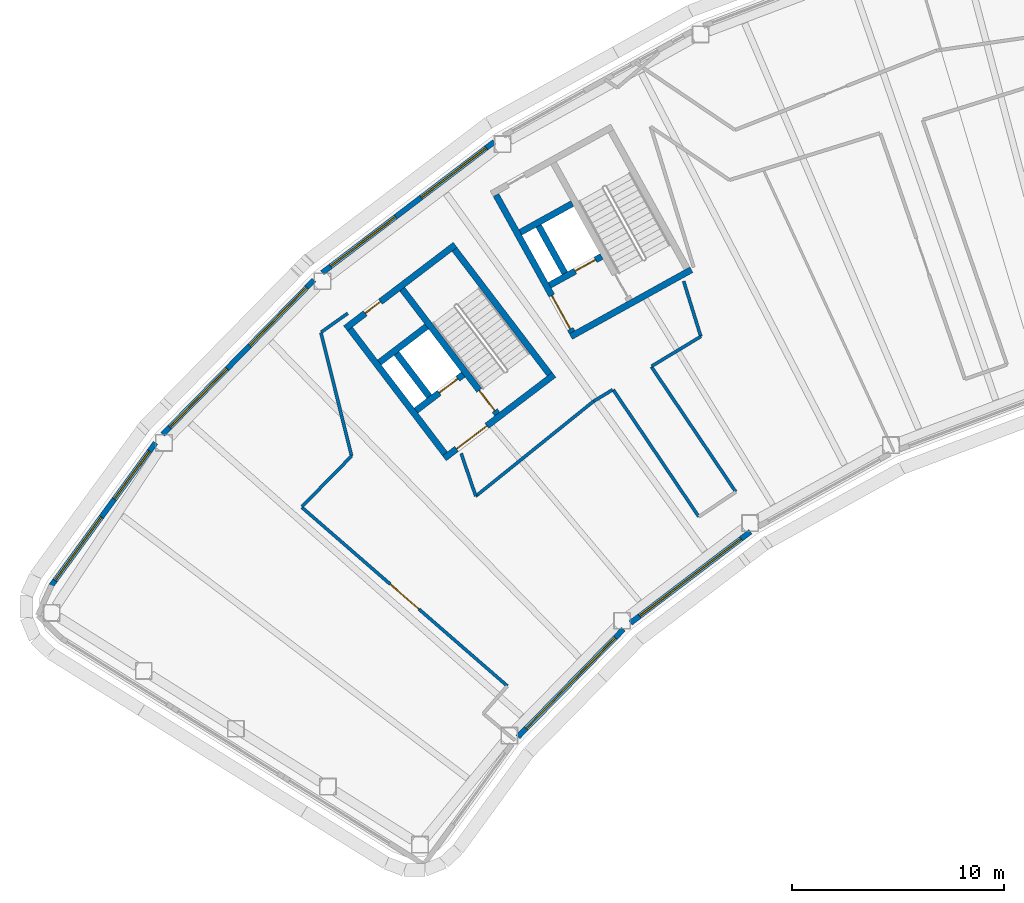
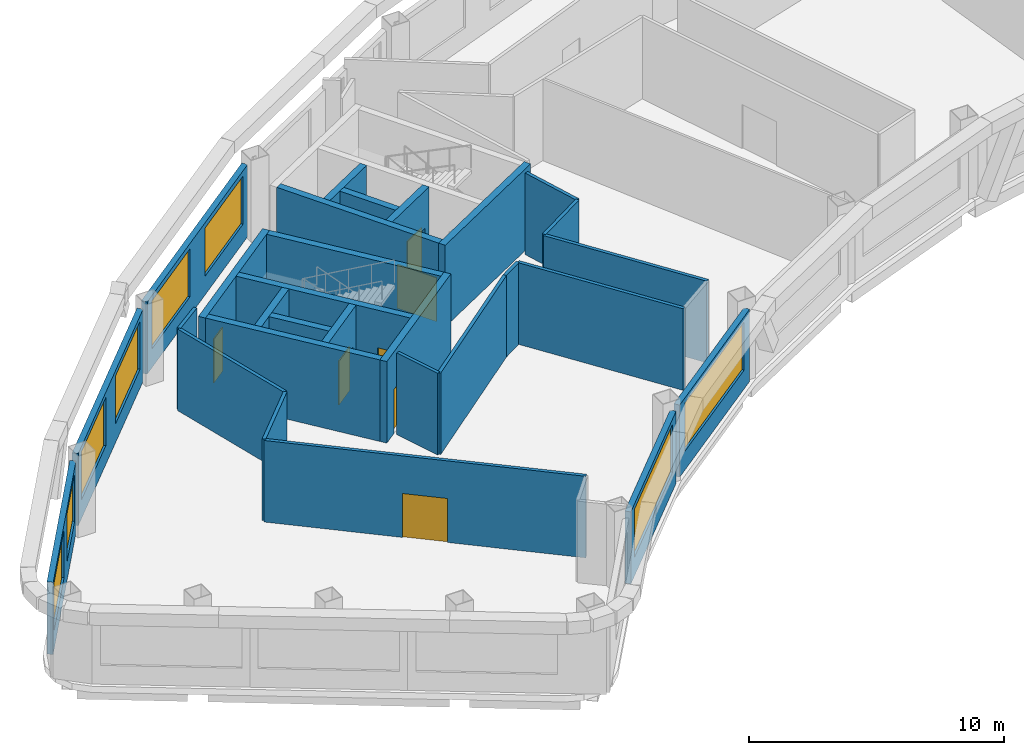
# One storey, part 5 of 13: 29 walls, 8 windows, 7 doors, 15 openings.
"""IFC4 building model written with IfcOpenShell, lengths in metres."""

from ifc_helpers import new_model, si_unit, direction, frame, frame_2d, origin, place, context, subcontext, project, spatial, rectangle, extrude, material, layer, layer_set, type_object, element, fill, save


model = new_model("IFC4")

# Units and contexts
model_context = context("Model", 3, precision=1e-05, world=origin(), true_north=direction((0.0, 1.0)))
body_context = subcontext(model_context, "Body", "Model", "MODEL_VIEW")
ifc_project = project(units=[si_unit("LENGTHUNIT", "METRE"), si_unit("AREAUNIT", "SQUARE_METRE"), si_unit("VOLUMEUNIT", "CUBIC_METRE"), si_unit("PLANEANGLEUNIT", "RADIAN"), si_unit("MASSUNIT", "GRAM", prefix="KILO")], contexts=[model_context])

# Site, building, storey
site_placement = place(None, origin())
site = spatial("IfcSite", under=ifc_project, at=site_placement, CompositionType="ELEMENT")
building_placement = place(site_placement, origin())
building = spatial("IfcBuilding", under=site, at=building_placement, Name="Tuul Gate Civic Tower", CompositionType="ELEMENT")
storey_placement = place(building_placement, frame((0.0, 0.0, 306.800048828125)))
storey = spatial("IfcBuildingStorey", under=building, at=storey_placement, Name="Level 69", CompositionType="ELEMENT", Elevation=306.800048828125)

# Wall, opening, door
ifc_material_1 = material(Name="Concrete C50/60", Category="concrete")
ifc_layer_1 = layer(ifc_material_1, 0.300048828125)
ifc_layer_set_1 = layer_set([ifc_layer_1], Name="Concrete C50/60")
wall_type_1 = type_object("IfcWallType", Name="Core wall C50/60", PredefinedType="SHEAR", material=ifc_layer_set_1)
wall_1_placement = place(storey_placement, frame((-31.19091796875, -13.669677734375, 0.0), z_axis=(0.0, 0.0, 1.0), x_axis=(-0.795606717756, -0.605813461934, 0.0)))
wall_1 = element("IfcWall", 1, at=wall_1_placement, inside=storey, type_object=wall_type_1, Name="Core wall", PredefinedType="SHEAR", context=body_context, shape_type="SweptSolid", body=[
    extrude(rectangle(XDim=6.5, YDim=0.300048828125, at=frame_2d((3.25, 0.0))), origin(), (0.0, 0.0, 1.0), 3.89990234375),
])
opening_1_placement = place(wall_1_placement, frame((3.97509765625, 0.0, 0.0)))
opening_1 = element("IfcOpeningElement", 2, at=opening_1_placement, cuts=wall_1, Name="Opening LB-W1-LOBBY-1", PredefinedType="OPENING", context=body_context, shape_type="SweptSolid", body=[
    extrude(rectangle(XDim=1.800048828125, YDim=2.10009765625, at=frame_2d((0.89990234375, 1.050048828125))), frame((0.0, 0.16015625, 0.0), z_axis=(0.0, -1.0, 0.0), x_axis=(1.0, 0.0, 0.0)), (0.0, 0.0, 1.0), 0.320068359375),
])
ifc_material_2 = material(Name="Steel", Category="steel")
door_type_1 = type_object("IfcDoorType", Name="Lobby door", OperationType="DOUBLE_DOOR_SINGLE_SWING", PredefinedType="DOOR", material=ifc_material_2)
door_1_placement = place(opening_1_placement, origin())
door_1 = element("IfcDoor", 3, at=door_1_placement, inside=storey, type_object=door_type_1, Name="Lobby door W1-LOBBY", OperationType="DOUBLE_DOOR_SINGLE_SWING", OverallHeight=2.10009765625, OverallWidth=1.800048828125, PredefinedType="DOOR", context=body_context, shape_type="SweptSolid", body=[
    extrude(rectangle(XDim=1.800048828125, YDim=2.10009765625, at=frame_2d((0.89990234375, 1.050048828125))), frame((0.0, 0.02490234375, 0.0), z_axis=(0.0, -1.0, 0.0), x_axis=(1.0, 0.0, 0.0)), (0.0, 0.0, 1.0), 0.050048828125),
])
fill(opening_1, door_1)

wall_2_placement = place(storey_placement, frame((-35.470947265625, -13.66064453125, 0.0), z_axis=(0.0, 0.0, 1.0), x_axis=(-0.795615822227, -0.605801504968, 0.0)))
wall_2 = element("IfcWall", 4, at=wall_2_placement, inside=storey, type_object=wall_type_1, Name="Core wall", PredefinedType="SHEAR", context=body_context, shape_type="SweptSolid", body=[
    extrude(rectangle(XDim=2.800048828125, YDim=0.300048828125, at=frame_2d((1.39990234375, 0.0))), origin(), (0.0, 0.0, 1.0), 3.89990234375),
])
opening_2_placement = place(wall_2_placement, frame((0.324951171875, 0.0, 0.0)))
opening_2 = element("IfcOpeningElement", 5, at=opening_2_placement, cuts=wall_2, Name="Opening LD-H1", PredefinedType="OPENING", context=body_context, shape_type="SweptSolid", body=[
    extrude(rectangle(XDim=1.10009765625, YDim=2.10009765625, at=frame_2d((0.550048828125, 1.050048828125))), frame((0.0, 0.16015625, 0.0), z_axis=(0.0, -1.0, 0.0), x_axis=(1.0, 0.0, 0.0)), (0.0, 0.0, 1.0), 0.320068359375),
])
ifc_material_3 = material(Name="Stainless steel", Category="steel")
door_type_2 = type_object("IfcDoorType", Name="Landing door", OperationType="DOUBLE_DOOR_SLIDING", PredefinedType="DOOR", material=ifc_material_3)
door_2_placement = place(opening_2_placement, origin())
door_2 = element("IfcDoor", 6, at=door_2_placement, inside=storey, type_object=door_type_2, Name="High-rise lift H1 landing door", OperationType="DOUBLE_DOOR_SLIDING", OverallHeight=2.10009765625, OverallWidth=1.10009765625, PredefinedType="DOOR", context=body_context, shape_type="SweptSolid", body=[
    extrude(rectangle(XDim=1.10009765625, YDim=2.10009765625, at=frame_2d((0.550048828125, 1.050048828125))), frame((0.0, 0.02490234375, 0.0), z_axis=(0.0, -1.0, 0.0), x_axis=(1.0, 0.0, 0.0)), (0.0, 0.0, 1.0), 0.050048828125),
])
fill(opening_2, door_2)

# Wall
wall_3_placement = place(storey_placement, frame((-37.197509765625, -11.39306640625, 0.0), z_axis=(0.0, 0.0, 1.0), x_axis=(-0.795583820278, -0.605843531707, 0.0)))
element("IfcWall", 7, at=wall_3_placement, inside=storey, type_object=wall_type_1, Name="Core wall", PredefinedType="SHEAR", context=body_context, shape_type="SweptSolid", body=[
    extrude(rectangle(XDim=2.7998046875, YDim=0.300048828125, at=frame_2d((1.39990234375, 0.0))), origin(), (0.0, 0.0, 1.0), 3.89990234375),
])

# Wall, opening, door
wall_4_placement = place(storey_placement, frame((-35.855224609375, -7.543212890625, 0.0), z_axis=(0.0, 0.0, 1.0), x_axis=(-0.79563860527, -0.605771582202, 0.0)))
wall_4 = element("IfcWall", 8, at=wall_4_placement, inside=storey, type_object=wall_type_1, Name="Core wall", PredefinedType="SHEAR", context=body_context, shape_type="SweptSolid", body=[
    extrude(rectangle(XDim=6.5, YDim=0.300048828125, at=frame_2d((3.25, 0.0))), origin(), (0.0, 0.0, 1.0), 3.89990234375),
])
opening_3_placement = place(wall_4_placement, frame((4.425048828125, 0.0, 0.0)))
opening_3 = element("IfcOpeningElement", 9, at=opening_3_placement, cuts=wall_4, Name="Opening Z-D14", PredefinedType="OPENING", context=body_context, shape_type="SweptSolid", body=[
    extrude(rectangle(XDim=0.89990234375, YDim=2.10009765625, at=frame_2d((0.449951171875, 1.050048828125))), frame((0.0, 0.16015625, 0.0), z_axis=(0.0, -1.0, 0.0), x_axis=(1.0, 0.0, 0.0)), (0.0, 0.0, 1.0), 0.320068359375),
])
ifc_material_4 = material(Name="Timber door leaf", Category="wood")
door_type_3 = type_object("IfcDoorType", Name="Door D09", OperationType="NOTDEFINED", PredefinedType="DOOR", material=ifc_material_4)
door_3_placement = place(opening_3_placement, origin())
door_3 = element("IfcDoor", 10, at=door_3_placement, inside=storey, type_object=door_type_3, Name="Door Z-D14", OperationType="SINGLE_SWING_LEFT", OverallHeight=2.10009765625, OverallWidth=0.89990234375, PredefinedType="DOOR", context=body_context, shape_type="SweptSolid", body=[
    extrude(rectangle(XDim=0.89990234375, YDim=2.10009765625, at=frame_2d((0.449951171875, 1.050048828125))), frame((0.0, 0.02490234375, 0.0), z_axis=(0.0, -1.0, 0.0), x_axis=(1.0, 0.0, 0.0)), (0.0, 0.0, 1.0), 0.050048828125),
])
fill(opening_3, door_3)

# Wall
wall_5_placement = place(storey_placement, frame((-31.401123046875, -13.64111328125, 0.0), z_axis=(0.0, 0.0, 1.0), x_axis=(-0.605769822278, 0.795639945213, 0.0)))
element("IfcWall", 11, at=wall_5_placement, inside=storey, type_object=wall_type_1, Name="Core wall", PredefinedType="SHEAR", context=body_context, shape_type="SweptSolid", body=[
    extrude(rectangle(XDim=7.39990234375, YDim=0.300048828125, at=frame_2d((3.699951171875, 0.0))), origin(), (0.0, 0.0, 1.0), 3.89990234375),
])

# Wall, opening, door
wall_6_placement = place(storey_placement, frame((-33.867431640625, -15.51904296875, 0.0), z_axis=(0.0, 0.0, 1.0), x_axis=(-0.605769822278, 0.795639945213, 0.0)))
wall_6 = element("IfcWall", 12, at=wall_6_placement, inside=storey, type_object=wall_type_1, Name="Core wall", PredefinedType="SHEAR", context=body_context, shape_type="SweptSolid", body=[
    extrude(rectangle(XDim=7.39990234375, YDim=0.300048828125, at=frame_2d((3.699951171875, 0.0))), origin(), (0.0, 0.0, 1.0), 3.89990234375),
])
opening_4_placement = place(wall_6_placement, frame((0.199951171875, 0.0, 0.0)))
opening_4 = element("IfcOpeningElement", 13, at=opening_4_placement, cuts=wall_6, Name="Opening SD-ST-1", PredefinedType="OPENING", context=body_context, shape_type="SweptSolid", body=[
    extrude(rectangle(XDim=1.199951171875, YDim=2.10009765625, at=frame_2d((0.60009765625, 1.050048828125))), frame((0.0, 0.16015625, 0.0), z_axis=(0.0, -1.0, 0.0), x_axis=(1.0, 0.0, 0.0)), (0.0, 0.0, 1.0), 0.320068359375),
])
ifc_material_5 = material(Name="Steel", Category="steel")
door_type_4 = type_object("IfcDoorType", Name="Stair door", OperationType="NOTDEFINED", PredefinedType="DOOR", material=ifc_material_5)
door_4_placement = place(opening_4_placement, origin())
door_4 = element("IfcDoor", 14, at=door_4_placement, inside=storey, type_object=door_type_4, Name="Stair door ST-1", OperationType="SINGLE_SWING_LEFT", OverallHeight=2.10009765625, OverallWidth=1.199951171875, PredefinedType="DOOR", context=body_context, shape_type="SweptSolid", body=[
    extrude(rectangle(XDim=1.199951171875, YDim=2.10009765625, at=frame_2d((0.60009765625, 1.050048828125))), frame((0.0, 0.02490234375, 0.0), z_axis=(0.0, -1.0, 0.0), x_axis=(1.0, 0.0, 0.0)), (0.0, 0.0, 1.0), 0.050048828125),
])
fill(opening_4, door_4)

# Walls
wall_7_placement = place(storey_placement, frame((-37.073486328125, -14.6923828125, 0.0), z_axis=(0.0, 0.0, 1.0), x_axis=(-0.605728760074, 0.79567120673, 0.0)))
element("IfcWall", 15, at=wall_7_placement, inside=storey, type_object=wall_type_1, Name="Core wall", PredefinedType="SHEAR", context=body_context, shape_type="SweptSolid", body=[
    extrude(rectangle(XDim=2.550048828125, YDim=0.300048828125, at=frame_2d((1.27490234375, 0.0))), origin(), (0.0, 0.0, 1.0), 3.89990234375),
])
wall_8_placement = place(storey_placement, frame((-36.333984375, -17.397216796875, 0.0), z_axis=(0.0, 0.0, 1.0), x_axis=(-0.605753921168, 0.795652051458, 0.0)))
element("IfcWall", 16, at=wall_8_placement, inside=storey, type_object=wall_type_1, Name="Core wall", PredefinedType="SHEAR", context=body_context, shape_type="SweptSolid", body=[
    extrude(rectangle(XDim=7.400146484375, YDim=0.300048828125, at=frame_2d((3.7001953125, 0.0))), origin(), (0.0, 0.0, 1.0), 3.89990234375),
])
wall_9_placement = place(storey_placement, frame((-24.711669921875, -8.7158203125, 0.0), z_axis=(0.0, 0.0, 1.0), x_axis=(-0.874629909008, -0.484791215132, 0.0)))
element("IfcWall", 17, at=wall_9_placement, inside=storey, type_object=wall_type_1, Name="Core wall", PredefinedType="SHEAR", context=body_context, shape_type="SweptSolid", body=[
    extrude(rectangle(XDim=6.5, YDim=0.300048828125, at=frame_2d((3.25, 0.0))), origin(), (0.0, 0.0, 1.0), 3.89990234375),
])

# Wall, opening, door
wall_10_placement = place(storey_placement, frame((-28.94580078125, -8.090087890625, 0.0), z_axis=(0.0, 0.0, 1.0), x_axis=(-0.874629840737, -0.484791338301, 0.0)))
wall_10 = element("IfcWall", 18, at=wall_10_placement, inside=storey, type_object=wall_type_1, Name="Core wall", PredefinedType="SHEAR", context=body_context, shape_type="SweptSolid", body=[
    extrude(rectangle(XDim=2.800048828125, YDim=0.300048828125, at=frame_2d((1.39990234375, 0.0))), origin(), (0.0, 0.0, 1.0), 3.89990234375),
])
opening_5_placement = place(wall_10_placement, frame((0.324951171875, 0.0, 0.0)))
opening_5 = element("IfcOpeningElement", 19, at=opening_5_placement, cuts=wall_10, Name="Opening LD-FF-1", PredefinedType="OPENING", context=body_context, shape_type="SweptSolid", body=[
    extrude(rectangle(XDim=1.10009765625, YDim=2.10009765625, at=frame_2d((0.550048828125, 1.050048828125))), frame((0.0, 0.16015625, 0.0), z_axis=(0.0, -1.0, 0.0), x_axis=(1.0, 0.0, 0.0)), (0.0, 0.0, 1.0), 0.320068359375),
])
door_5_placement = place(opening_5_placement, origin())
door_5 = element("IfcDoor", 20, at=door_5_placement, inside=storey, type_object=door_type_2, Name="Fire-fighting lift FF-1 landing door", OperationType="DOUBLE_DOOR_SLIDING", OverallHeight=2.10009765625, OverallWidth=1.10009765625, PredefinedType="DOOR", context=body_context, shape_type="SweptSolid", body=[
    extrude(rectangle(XDim=1.10009765625, YDim=2.10009765625, at=frame_2d((0.550048828125, 1.050048828125))), frame((0.0, 0.02490234375, 0.0), z_axis=(0.0, -1.0, 0.0), x_axis=(1.0, 0.0, 0.0)), (0.0, 0.0, 1.0), 0.050048828125),
])
fill(opening_5, door_5)

# Walls
wall_11_placement = place(storey_placement, frame((-30.327392578125, -5.59716796875, 0.0), z_axis=(0.0, 0.0, 1.0), x_axis=(-0.874629840737, -0.484791338301, 0.0)))
element("IfcWall", 21, at=wall_11_placement, inside=storey, type_object=wall_type_1, Name="Core wall", PredefinedType="SHEAR", context=body_context, shape_type="SweptSolid", body=[
    extrude(rectangle(XDim=2.800048828125, YDim=0.300048828125, at=frame_2d((1.39990234375, 0.0))), origin(), (0.0, 0.0, 1.0), 3.89990234375),
])
wall_12_placement = place(storey_placement, frame((-30.680419921875, -8.8798828125, 0.0), z_axis=(0.0, 0.0, 1.0), x_axis=(-0.484724115216, 0.874667097888, 0.0)))
element("IfcWall", 22, at=wall_12_placement, inside=storey, type_object=wall_type_1, Name="Core wall", PredefinedType="SHEAR", context=body_context, shape_type="SweptSolid", body=[
    extrude(rectangle(XDim=2.550048828125, YDim=0.300048828125, at=frame_2d((1.27490234375, 0.0))), origin(), (0.0, 0.0, 1.0), 3.89990234375),
])

# Wall, opening, door
wall_13_placement = place(storey_placement, frame((-30.33837890625, -11.6630859375, 0.0), z_axis=(0.0, 0.0, 1.0), x_axis=(-0.484751894226, 0.874651702704, 0.0)))
wall_13 = element("IfcWall", 23, at=wall_13_placement, inside=storey, type_object=wall_type_1, Name="Core wall", PredefinedType="SHEAR", context=body_context, shape_type="SweptSolid", body=[
    extrude(rectangle(XDim=7.39990234375, YDim=0.300048828125, at=frame_2d((3.699951171875, 0.0))), origin(), (0.0, 0.0, 1.0), 3.89990234375),
])
opening_6_placement = place(wall_13_placement, frame((0.175048828125, 0.0, 0.0)))
opening_6 = element("IfcOpeningElement", 24, at=opening_6_placement, cuts=wall_13, Name="Opening LB-W2-FLOBBY-1", PredefinedType="OPENING", context=body_context, shape_type="SweptSolid", body=[
    extrude(rectangle(XDim=1.800048828125, YDim=2.10009765625, at=frame_2d((0.89990234375, 1.050048828125))), frame((0.0, 0.16015625, 0.0), z_axis=(0.0, -1.0, 0.0), x_axis=(1.0, 0.0, 0.0)), (0.0, 0.0, 1.0), 0.320068359375),
])
door_6_placement = place(opening_6_placement, frame((1.800048828125, 0.0, 0.0), z_axis=(0.0, 0.0, 1.0), x_axis=(-1.0, 0.0, 0.0)))
door_6 = element("IfcDoor", 25, at=door_6_placement, inside=storey, type_object=door_type_1, Name="Lobby door W2-FLOBBY", OperationType="DOUBLE_DOOR_SINGLE_SWING", OverallHeight=2.10009765625, OverallWidth=1.800048828125, PredefinedType="DOOR", context=body_context, shape_type="SweptSolid", body=[
    extrude(rectangle(XDim=1.800048828125, YDim=2.10009765625, at=frame_2d((0.900146484375, 1.050048828125))), frame((0.0, 0.02490234375, 0.0), z_axis=(0.0, -1.0, 0.0), x_axis=(1.0, 0.0, 0.0)), (0.0, 0.0, 1.0), 0.050048828125),
])
fill(opening_6, door_6)

# Walls
ifc_material_6 = material(Name="Gypsum board partition")
ifc_layer_2 = layer(ifc_material_6, 0.14990234375)
ifc_layer_set_2 = layer_set([ifc_layer_2], Name="Gypsum board partition")
wall_type_2 = type_object("IfcWallType", Name="Corridor wall P150", PredefinedType="PARTITIONING", material=ifc_layer_set_2)
wall_14_placement = place(storey_placement, frame((-35.56982421875, -17.380859375, 0.0), z_axis=(0.0, 0.0, 1.0), x_axis=(0.324227629502, -0.945979092934, 0.0)))
element("IfcWall", 26, at=wall_14_placement, inside=storey, type_object=wall_type_2, Name="p055", PredefinedType="PARTITIONING", context=body_context, shape_type="SweptSolid", body=[
    extrude(rectangle(XDim=2.130126953125, YDim=0.14990234375, at=frame_2d((1.06494140625, 0.0))), origin(), (0.0, 0.0, 1.0), 3.89990234375),
])
wall_15_placement = place(storey_placement, frame((-34.879150390625, -19.39599609375, 0.0), z_axis=(0.0, 0.0, 1.0), x_axis=(0.778716330598, 0.627376184167, 0.0)))
element("IfcWall", 27, at=wall_15_placement, inside=storey, type_object=wall_type_2, Name="p056", PredefinedType="PARTITIONING", context=body_context, shape_type="SweptSolid", body=[
    extrude(rectangle(XDim=7.1416015625, YDim=0.14990234375, at=frame_2d((3.57080078125, 0.0))), origin(), (0.0, 0.0, 1.0), 3.89990234375),
])
wall_16_placement = place(storey_placement, frame((-29.31787109375, -14.91552734375, 0.0), z_axis=(0.0, 0.0, 1.0), x_axis=(0.856128829948, 0.516762446906, 0.0)))
element("IfcWall", 28, at=wall_16_placement, inside=storey, type_object=wall_type_2, Name="p058", PredefinedType="PARTITIONING", context=body_context, shape_type="SweptSolid", body=[
    extrude(rectangle(XDim=1.044677734375, YDim=0.14990234375, at=frame_2d((0.5224609375, 0.0))), origin(), (0.0, 0.0, 1.0), 3.89990234375),
])
wall_17_placement = place(storey_placement, frame((-26.58837890625, -13.267822265625, 0.0), z_axis=(0.0, 0.0, 1.0), x_axis=(0.856100498429, 0.51680938129, 0.0)))
element("IfcWall", 29, at=wall_17_placement, inside=storey, type_object=wall_type_2, Name="p059", PredefinedType="PARTITIONING", context=body_context, shape_type="SweptSolid", body=[
    extrude(rectangle(XDim=2.71337890625, YDim=0.14990234375, at=frame_2d((1.356689453125, 0.0))), origin(), (0.0, 0.0, 1.0), 3.89990234375),
])
wall_18_placement = place(storey_placement, frame((-28.39599609375, -14.3818359375, 0.0), z_axis=(0.0, 0.0, 1.0), x_axis=(0.559203299663, -0.82903056014, 0.0)))
element("IfcWall", 30, at=wall_18_placement, inside=storey, type_object=wall_type_2, Name="p060", PredefinedType="PARTITIONING", context=body_context, shape_type="SweptSolid", body=[
    extrude(rectangle(XDim=7.218505859375, YDim=0.14990234375, at=frame_2d((3.609375, 0.0))), origin(), (0.0, 0.0, 1.0), 3.89990234375),
])
wall_19_placement = place(storey_placement, frame((-26.594970703125, -13.296630859375, 0.0), z_axis=(0.0, 0.0, 1.0), x_axis=(0.559208072468, -0.829027340735, 0.0)))
element("IfcWall", 31, at=wall_19_placement, inside=storey, type_object=wall_type_2, Name="p062", PredefinedType="PARTITIONING", context=body_context, shape_type="SweptSolid", body=[
    extrude(rectangle(XDim=7.111083984375, YDim=0.14990234375, at=frame_2d((3.5556640625, 0.0))), origin(), (0.0, 0.0, 1.0), 3.89990234375),
])
wall_20_placement = place(storey_placement, frame((-25.073974609375, -9.259521484375, 0.0), z_axis=(0.0, 0.0, 1.0), x_axis=(0.296292255378, -0.955097324571, 0.0)))
element("IfcWall", 32, at=wall_20_placement, inside=storey, type_object=wall_type_2, Name="p063", PredefinedType="PARTITIONING", context=body_context, shape_type="SweptSolid", body=[
    extrude(rectangle(XDim=2.728271484375, YDim=0.14990234375, at=frame_2d((1.3642578125, 0.0))), origin(), (0.0, 0.0, 1.0), 3.89990234375),
])

# Wall, opening, door
wall_21_placement = place(storey_placement, frame((-43.08154296875, -19.924560546875, 0.0), z_axis=(0.0, 0.0, 1.0), x_axis=(0.754711953407, -0.656056298945, 0.0)))
wall_21 = element("IfcWall", 33, at=wall_21_placement, inside=storey, type_object=wall_type_2, Name="p068", PredefinedType="PARTITIONING", context=body_context, shape_type="SweptSolid", body=[
    extrude(rectangle(XDim=12.838623046875, YDim=0.14990234375, at=frame_2d((6.41943359375, 0.0))), origin(), (0.0, 0.0, 1.0), 3.89990234375),
])
opening_7_placement = place(wall_21_placement, frame((5.519287109375, 0.0, 0.0)))
opening_7 = element("IfcOpeningElement", 34, at=opening_7_placement, cuts=wall_21, Name="Opening Z-D10", PredefinedType="OPENING", context=body_context, shape_type="SweptSolid", body=[
    extrude(rectangle(XDim=1.800048828125, YDim=2.10009765625, at=frame_2d((0.89990234375, 1.050048828125))), frame((0.0, 0.0849609375, 0.0), z_axis=(0.0, -1.0, 0.0), x_axis=(1.0, 0.0, 0.0)), (0.0, 0.0, 1.0), 0.169921875),
])
ifc_material_7 = material(Name="Timber door leaf, double", Category="wood")
door_type_5 = type_object("IfcDoorType", Name="Door D18", OperationType="DOUBLE_DOOR_SINGLE_SWING", PredefinedType="DOOR", material=ifc_material_7)
door_7_placement = place(opening_7_placement, origin())
door_7 = element("IfcDoor", 35, at=door_7_placement, inside=storey, type_object=door_type_5, Name="Door Z-D10", OperationType="DOUBLE_DOOR_SINGLE_SWING", OverallHeight=2.10009765625, OverallWidth=1.800048828125, PredefinedType="DOOR", context=body_context, shape_type="SweptSolid", body=[
    extrude(rectangle(XDim=1.800048828125, YDim=2.10009765625, at=frame_2d((0.89990234375, 1.050048828125))), frame((0.0, 0.02490234375, 0.0), z_axis=(0.0, -1.0, 0.0), x_axis=(1.0, 0.0, 0.0)), (0.0, 0.0, 1.0), 0.050048828125),
])
fill(opening_7, door_7)

# Walls
wall_22_placement = place(storey_placement, frame((-43.082763671875, -19.894775390625, 0.0), z_axis=(0.0, 0.0, 1.0), x_axis=(0.700005863568, 0.714137095361, 0.0)))
element("IfcWall", 36, at=wall_22_placement, inside=storey, type_object=wall_type_2, Name="p069", PredefinedType="PARTITIONING", context=body_context, shape_type="SweptSolid", body=[
    extrude(rectangle(XDim=3.3515625, YDim=0.14990234375, at=frame_2d((1.67578125, 0.0))), origin(), (0.0, 0.0, 1.0), 3.89990234375),
])
wall_23_placement = place(storey_placement, frame((-42.18359375, -11.681396484375, 0.0), z_axis=(0.0, 0.0, 1.0), x_axis=(0.241290167868, -0.970453015292, 0.0)))
element("IfcWall", 37, at=wall_23_placement, inside=storey, type_object=wall_type_2, Name="p070", PredefinedType="PARTITIONING", context=body_context, shape_type="SweptSolid", body=[
    extrude(rectangle(XDim=5.9970703125, YDim=0.14990234375, at=frame_2d((2.99853515625, 0.0))), origin(), (0.0, 0.0, 1.0), 3.89990234375),
])
wall_24_placement = place(storey_placement, frame((-42.1748046875, -11.664794921875, 0.0), z_axis=(0.0, 0.0, 1.0), x_axis=(0.81496364476, 0.579512085914, 0.0)))
element("IfcWall", 38, at=wall_24_placement, inside=storey, type_object=wall_type_2, Name="p071", PredefinedType="PARTITIONING", context=body_context, shape_type="SweptSolid", body=[
    extrude(rectangle(XDim=1.539794921875, YDim=0.14990234375, at=frame_2d((0.77001953125, 0.0))), origin(), (0.0, 0.0, 1.0), 3.89990234375),
])

# Wall, openings, windows
ifc_material_8 = material(Name="Precast concrete C40/50", Category="concrete")
ifc_layer_3 = layer(ifc_material_8, 0.25)
ifc_layer_set_3 = layer_set([ifc_layer_3], Name="Precast concrete C40/50")
wall_type_3 = type_object("IfcWallType", Name="External wall", PredefinedType="STANDARD", material=ifc_layer_set_3)
wall_25_placement = place(storey_placement, frame((-34.013916015625, -2.6865234375, 0.0), z_axis=(0.0, 0.0, 1.0), x_axis=(-0.795611005019, -0.605807831488, 0.0)))
wall_25 = element("IfcWall", 39, at=wall_25_placement, inside=storey, type_object=wall_type_3, Name="External wall", PredefinedType="STANDARD", context=body_context, shape_type="SweptSolid", body=[
    extrude(rectangle(XDim=10.188720703125, YDim=0.25, at=frame_2d((5.09423828125, 0.0))), origin(), (0.0, 0.0, 1.0), 3.449951171875),
])
opening_8_placement = place(wall_25_placement, frame((0.47314453125, 0.0, 0.89990234375)))
opening_8 = element("IfcOpeningElement", 40, at=opening_8_placement, cuts=wall_25, Name="Opening W22", PredefinedType="OPENING", context=body_context, shape_type="SweptSolid", body=[
    extrude(rectangle(XDim=3.85009765625, YDim=2.300048828125, at=frame_2d((1.925048828125, 1.14990234375))), frame((0.0, 0.135009765625, 0.0), z_axis=(0.0, -1.0, 0.0), x_axis=(1.0, 0.0, 0.0)), (0.0, 0.0, 1.0), 0.27001953125),
])
opening_9_placement = place(wall_25_placement, frame((5.844482421875, 0.0, 0.89990234375)))
opening_9 = element("IfcOpeningElement", 41, at=opening_9_placement, cuts=wall_25, Name="Opening W22", PredefinedType="OPENING", context=body_context, shape_type="SweptSolid", body=[
    extrude(rectangle(XDim=3.85009765625, YDim=2.300048828125, at=frame_2d((1.925048828125, 1.14990234375))), frame((0.0, 0.135009765625, 0.0), z_axis=(0.0, -1.0, 0.0), x_axis=(1.0, 0.0, 0.0)), (0.0, 0.0, 1.0), 0.27001953125),
])
ifc_material_9 = material(Name="Glass", Category="glass")
window_type_1 = type_object("IfcWindowType", Name="Window W22 3850 x 2300", PartitioningType="SINGLE_PANEL", PredefinedType="WINDOW", material=ifc_material_9)
window_1_placement = place(opening_8_placement, origin())
window_1 = element("IfcWindow", 42, at=window_1_placement, inside=storey, type_object=window_type_1, Name="Window", OverallHeight=2.300048828125, OverallWidth=3.85009765625, PartitioningType="SINGLE_PANEL", PredefinedType="WINDOW", context=body_context, shape_type="SweptSolid", body=[
    extrude(rectangle(XDim=3.85009765625, YDim=2.300048828125, at=frame_2d((1.925048828125, 1.14990234375))), frame((0.0, 0.030029296875, 0.0), z_axis=(0.0, -1.0, 0.0), x_axis=(1.0, 0.0, 0.0)), (0.0, 0.0, 1.0), 0.06005859375),
])
fill(opening_8, window_1)
window_2_placement = place(opening_9_placement, origin())
window_2 = element("IfcWindow", 43, at=window_2_placement, inside=storey, type_object=window_type_1, Name="Window", OverallHeight=2.300048828125, OverallWidth=3.85009765625, PartitioningType="SINGLE_PANEL", PredefinedType="WINDOW", context=body_context, shape_type="SweptSolid", body=[
    extrude(rectangle(XDim=3.85009765625, YDim=2.300048828125, at=frame_2d((1.925048828125, 1.14990234375))), frame((0.0, 0.030029296875, 0.0), z_axis=(0.0, -1.0, 0.0), x_axis=(1.0, 0.0, 0.0)), (0.0, 0.0, 1.0), 0.06005859375),
])
fill(opening_9, window_2)

wall_26_placement = place(storey_placement, frame((-42.509033203125, -9.20263671875, 0.0), z_axis=(0.0, 0.0, 1.0), x_axis=(-0.700044359254, -0.714099359387, 0.0)))
wall_26 = element("IfcWall", 44, at=wall_26_placement, inside=storey, type_object=wall_type_3, Name="External wall", PredefinedType="STANDARD", context=body_context, shape_type="SweptSolid", body=[
    extrude(rectangle(XDim=10.1962890625, YDim=0.25, at=frame_2d((5.09814453125, 0.0))), origin(), (0.0, 0.0, 1.0), 3.449951171875),
])
opening_10_placement = place(wall_26_placement, frame((0.48876953125, 0.0, 0.89990234375)))
opening_10 = element("IfcOpeningElement", 45, at=opening_10_placement, cuts=wall_26, Name="Opening W22", PredefinedType="OPENING", context=body_context, shape_type="SweptSolid", body=[
    extrude(rectangle(XDim=3.85009765625, YDim=2.300048828125, at=frame_2d((1.925048828125, 1.14990234375))), frame((0.0, 0.135009765625, 0.0), z_axis=(0.0, -1.0, 0.0), x_axis=(1.0, 0.0, 0.0)), (0.0, 0.0, 1.0), 0.27001953125),
])
opening_11_placement = place(wall_26_placement, frame((5.85986328125, 0.0, 0.89990234375)))
opening_11 = element("IfcOpeningElement", 46, at=opening_11_placement, cuts=wall_26, Name="Opening W22", PredefinedType="OPENING", context=body_context, shape_type="SweptSolid", body=[
    extrude(rectangle(XDim=3.85009765625, YDim=2.300048828125, at=frame_2d((1.925048828125, 1.14990234375))), frame((0.0, 0.135009765625, 0.0), z_axis=(0.0, -1.0, 0.0), x_axis=(1.0, 0.0, 0.0)), (0.0, 0.0, 1.0), 0.27001953125),
])
window_3_placement = place(opening_10_placement, origin())
window_3 = element("IfcWindow", 47, at=window_3_placement, inside=storey, type_object=window_type_1, Name="Window", OverallHeight=2.300048828125, OverallWidth=3.85009765625, PartitioningType="SINGLE_PANEL", PredefinedType="WINDOW", context=body_context, shape_type="SweptSolid", body=[
    extrude(rectangle(XDim=3.85009765625, YDim=2.300048828125, at=frame_2d((1.925048828125, 1.14990234375))), frame((0.0, 0.030029296875, 0.0), z_axis=(0.0, -1.0, 0.0), x_axis=(1.0, 0.0, 0.0)), (0.0, 0.0, 1.0), 0.06005859375),
])
fill(opening_10, window_3)
window_4_placement = place(opening_11_placement, origin())
window_4 = element("IfcWindow", 48, at=window_4_placement, inside=storey, type_object=window_type_1, Name="Window", OverallHeight=2.300048828125, OverallWidth=3.85009765625, PartitioningType="SINGLE_PANEL", PredefinedType="WINDOW", context=body_context, shape_type="SweptSolid", body=[
    extrude(rectangle(XDim=3.85009765625, YDim=2.300048828125, at=frame_2d((1.925048828125, 1.14990234375))), frame((0.0, 0.030029296875, 0.0), z_axis=(0.0, -1.0, 0.0), x_axis=(1.0, 0.0, 0.0)), (0.0, 0.0, 1.0), 0.06005859375),
])
fill(opening_11, window_4)

wall_27_placement = place(storey_placement, frame((-49.98388671875, -16.880615234375, 0.0), z_axis=(0.0, 0.0, 1.0), x_axis=(-0.589770614985, -0.807570815285, 0.0)))
wall_27 = element("IfcWall", 49, at=wall_27_placement, inside=storey, type_object=wall_type_3, Name="External wall", PredefinedType="STANDARD", context=body_context, shape_type="SweptSolid", body=[
    extrude(rectangle(XDim=8.337646484375, YDim=0.25, at=frame_2d((4.1689453125, 0.0))), origin(), (0.0, 0.0, 1.0), 3.449951171875),
])
opening_12_placement = place(wall_27_placement, frame((0.48486328125, 0.0, 0.89990234375)))
opening_12 = element("IfcOpeningElement", 50, at=opening_12_placement, cuts=wall_27, Name="Opening W23", PredefinedType="OPENING", context=body_context, shape_type="SweptSolid", body=[
    extrude(rectangle(XDim=2.800048828125, YDim=2.300048828125, at=frame_2d((1.39990234375, 1.14990234375))), frame((0.0, 0.135009765625, 0.0), z_axis=(0.0, -1.0, 0.0), x_axis=(1.0, 0.0, 0.0)), (0.0, 0.0, 1.0), 0.27001953125),
])
opening_13_placement = place(wall_27_placement, frame((4.33642578125, 0.0, 0.89990234375)))
opening_13 = element("IfcOpeningElement", 51, at=opening_13_placement, cuts=wall_27, Name="Opening W21", PredefinedType="OPENING", context=body_context, shape_type="SweptSolid", body=[
    extrude(rectangle(XDim=3.699951171875, YDim=2.300048828125, at=frame_2d((1.85009765625, 1.14990234375))), frame((0.0, 0.135009765625, 0.0), z_axis=(0.0, -1.0, 0.0), x_axis=(1.0, 0.0, 0.0)), (0.0, 0.0, 1.0), 0.27001953125),
])
ifc_material_10 = material(Name="Glass", Category="glass")
window_type_2 = type_object("IfcWindowType", Name="Window W21 3700 x 2300", PartitioningType="SINGLE_PANEL", PredefinedType="WINDOW", material=ifc_material_10)
window_5_placement = place(opening_13_placement, origin())
window_5 = element("IfcWindow", 52, at=window_5_placement, inside=storey, type_object=window_type_2, Name="Window", OverallHeight=2.300048828125, OverallWidth=3.699951171875, PartitioningType="SINGLE_PANEL", PredefinedType="WINDOW", context=body_context, shape_type="SweptSolid", body=[
    extrude(rectangle(XDim=3.699951171875, YDim=2.300048828125, at=frame_2d((1.85009765625, 1.14990234375))), frame((0.0, 0.030029296875, 0.0), z_axis=(0.0, -1.0, 0.0), x_axis=(1.0, 0.0, 0.0)), (0.0, 0.0, 1.0), 0.06005859375),
])
fill(opening_13, window_5)
ifc_material_11 = material(Name="Glass", Category="glass")
window_type_3 = type_object("IfcWindowType", Name="Window W23 2800 x 2300", PartitioningType="SINGLE_PANEL", PredefinedType="WINDOW", material=ifc_material_11)
window_6_placement = place(opening_12_placement, origin())
window_6 = element("IfcWindow", 53, at=window_6_placement, inside=storey, type_object=window_type_3, Name="Window", OverallHeight=2.300048828125, OverallWidth=2.800048828125, PartitioningType="SINGLE_PANEL", PredefinedType="WINDOW", context=body_context, shape_type="SweptSolid", body=[
    extrude(rectangle(XDim=2.800048828125, YDim=2.300048828125, at=frame_2d((1.39990234375, 1.14990234375))), frame((0.0, 0.030029296875, 0.0), z_axis=(0.0, -1.0, 0.0), x_axis=(1.0, 0.0, 0.0)), (0.0, 0.0, 1.0), 0.06005859375),
])
fill(opening_12, window_6)

# Wall, opening, window
wall_28_placement = place(storey_placement, frame((-32.89306640625, -30.749267578125, 0.0), z_axis=(0.0, 0.0, 1.0), x_axis=(0.700033997015, 0.714109517528, 0.0)))
wall_28 = element("IfcWall", 54, at=wall_28_placement, inside=storey, type_object=wall_type_3, Name="External wall", PredefinedType="STANDARD", context=body_context, shape_type="SweptSolid", body=[
    extrude(rectangle(XDim=7.111572265625, YDim=0.25, at=frame_2d((3.5556640625, 0.0))), origin(), (0.0, 0.0, 1.0), 3.449951171875),
])
opening_14_placement = place(wall_28_placement, frame((0.555908203125, 0.0, 0.89990234375)))
opening_14 = element("IfcOpeningElement", 55, at=opening_14_placement, cuts=wall_28, Name="Opening W26", PredefinedType="OPENING", context=body_context, shape_type="SweptSolid", body=[
    extrude(rectangle(XDim=6.0, YDim=2.300048828125, at=frame_2d((3.0, 1.14990234375))), frame((0.0, 0.135009765625, 0.0), z_axis=(0.0, -1.0, 0.0), x_axis=(1.0, 0.0, 0.0)), (0.0, 0.0, 1.0), 0.27001953125),
])
ifc_material_12 = material(Name="Glass", Category="glass")
window_type_4 = type_object("IfcWindowType", Name="Window W26 6000 x 2300", PartitioningType="SINGLE_PANEL", PredefinedType="WINDOW", material=ifc_material_12)
window_7_placement = place(opening_14_placement, origin())
window_7 = element("IfcWindow", 56, at=window_7_placement, inside=storey, type_object=window_type_4, Name="Window", OverallHeight=2.300048828125, OverallWidth=6.0, PartitioningType="SINGLE_PANEL", PredefinedType="WINDOW", context=body_context, shape_type="SweptSolid", body=[
    extrude(rectangle(XDim=6.0, YDim=2.300048828125, at=frame_2d((3.0, 1.14990234375))), frame((0.0, 0.030029296875, 0.0), z_axis=(0.0, -1.0, 0.0), x_axis=(1.0, 0.0, 0.0)), (0.0, 0.0, 1.0), 0.06005859375),
])
fill(opening_14, window_7)

wall_29_placement = place(storey_placement, frame((-27.5791015625, -25.3759765625, 0.0), z_axis=(0.0, 0.0, 1.0), x_axis=(0.795582375141, 0.605845429433, 0.0)))
wall_29 = element("IfcWall", 57, at=wall_29_placement, inside=storey, type_object=wall_type_3, Name="External wall", PredefinedType="STANDARD", context=body_context, shape_type="SweptSolid", body=[
    extrude(rectangle(XDim=7.10400390625, YDim=0.25, at=frame_2d((3.552001953125, 0.0))), origin(), (0.0, 0.0, 1.0), 3.449951171875),
])
opening_15_placement = place(wall_29_placement, frame((0.541259765625, 0.0, 0.89990234375)))
opening_15 = element("IfcOpeningElement", 58, at=opening_15_placement, cuts=wall_29, Name="Opening W26", PredefinedType="OPENING", context=body_context, shape_type="SweptSolid", body=[
    extrude(rectangle(XDim=6.0, YDim=2.300048828125, at=frame_2d((3.0, 1.14990234375))), frame((0.0, 0.135009765625, 0.0), z_axis=(0.0, -1.0, 0.0), x_axis=(1.0, 0.0, 0.0)), (0.0, 0.0, 1.0), 0.27001953125),
])
window_8_placement = place(opening_15_placement, origin())
window_8 = element("IfcWindow", 59, at=window_8_placement, inside=storey, type_object=window_type_4, Name="Window", OverallHeight=2.300048828125, OverallWidth=6.0, PartitioningType="SINGLE_PANEL", PredefinedType="WINDOW", context=body_context, shape_type="SweptSolid", body=[
    extrude(rectangle(XDim=6.0, YDim=2.300048828125, at=frame_2d((3.0, 1.14990234375))), frame((0.0, 0.030029296875, 0.0), z_axis=(0.0, -1.0, 0.0), x_axis=(1.0, 0.0, 0.0)), (0.0, 0.0, 1.0), 0.06005859375),
])
fill(opening_15, window_8)

save(model, "model.ifc")
